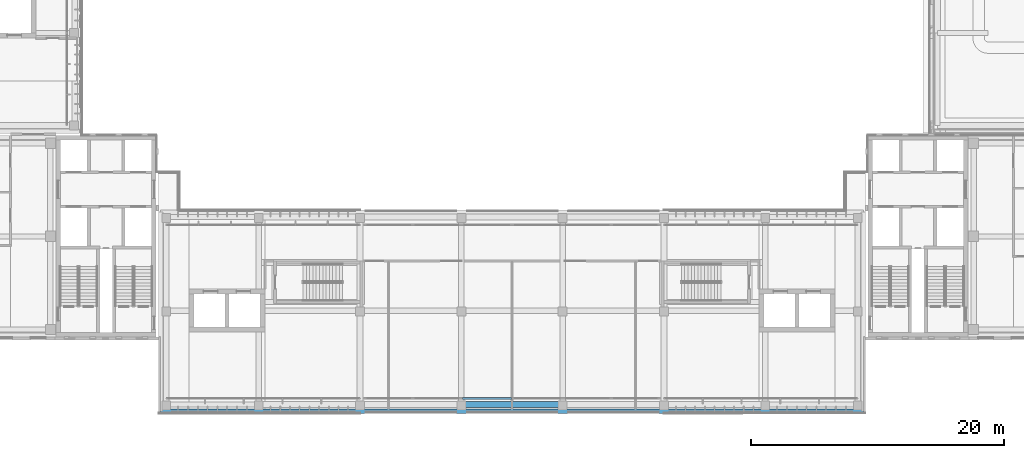
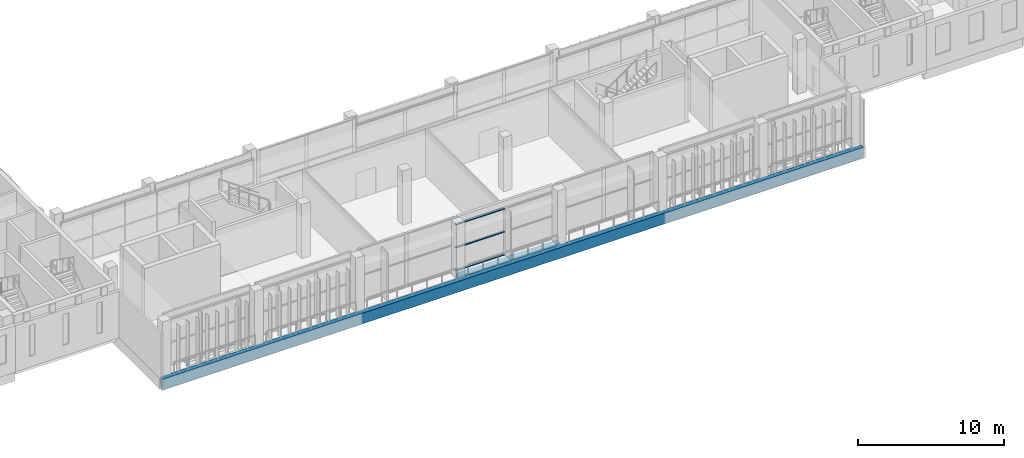
# One storey, part 7 of 46: 3 members, 2 beams, 1 element without a shape of its own.
"""IFC4 building model written with IfcOpenShell, lengths in metres."""

from ifc_helpers import new_model, si_unit, direction, frame, origin, origin_2d, place, context, subcontext, project, spatial, rectangle, extrude, material, material_profile, profile_set, type_object, element, aggregate, save


model = new_model("IFC4")

# Units and contexts
model_context = context("Model", 3, precision=1e-05, world=origin(), true_north=direction((0.0, 1.0)))
body_context = subcontext(model_context, "Body", "Model", "MODEL_VIEW")
ifc_project = project(units=[si_unit("LENGTHUNIT", "METRE"), si_unit("AREAUNIT", "SQUARE_METRE"), si_unit("VOLUMEUNIT", "CUBIC_METRE"), si_unit("PLANEANGLEUNIT", "RADIAN"), si_unit("MASSUNIT", "GRAM", prefix="KILO")], contexts=[model_context])

# Site, building, storey
site_placement = place(None, origin())
site = spatial("IfcSite", under=ifc_project, at=site_placement, CompositionType="ELEMENT")
building_placement = place(site_placement, origin())
building = spatial("IfcBuilding", under=site, at=building_placement, Name="Lantern Court Media Centre", CompositionType="ELEMENT")
storey_placement = place(building_placement, frame((0.0, 0.0, 28.800048828125)))
storey = spatial("IfcBuildingStorey", under=building, at=storey_placement, Name="L06", CompositionType="ELEMENT", Elevation=28.800048828125)

# Curtain wall, members
ifc_material_1 = material(Name="Curtain wall bay 4000")
curtain_wall_type = type_object("IfcCurtainWallType", Name="Curtain wall bay 4000", PredefinedType="NOTDEFINED", material=ifc_material_1)
curtain_wall_placement = place(storey_placement, origin())
curtain_wall = element("IfcCurtainWall", 1, at=curtain_wall_placement, inside=storey, type_object=curtain_wall_type, Name="Curtain wall S outer L06", PredefinedType="NOTDEFINED")
ifc_material_2 = material(Name="Anodised aluminium", Category="aluminium")
ifc_material_profile_1 = material_profile(ifc_material_2, rectangle(XDim=0.159912109375, YDim=0.080078125, at=origin_2d()), Name="AL 80x160")
ifc_profile_set_1 = profile_set([ifc_material_profile_1], Name="Anodised aluminium")
member_type = type_object("IfcMemberType", Name="Curtain wall transom 160x80", PredefinedType="USERDEFINED", material=ifc_profile_set_1)
member_1_placement = place(storey_placement, frame((48.080078125, 43.14990234375, 0.0400390625), z_axis=(1.0, 0.0, 0.0), x_axis=(0.0, 1.0, 0.0)))
member_1 = element("IfcMember", 2, at=member_1_placement, type_object=member_type, Name="CW3 transom 1.1", ObjectType="TRANSOM", PredefinedType="USERDEFINED", context=body_context, shape_type="SweptSolid", body=[
    extrude(rectangle(XDim=0.159912109375, YDim=0.080078125, at=origin_2d()), origin(), (0.0, 0.0, 1.0), 3.8798828125),
])
member_2_placement = place(storey_placement, frame((48.080078125, 43.14990234375, 1.974853515625), z_axis=(1.0, 0.0, 0.0), x_axis=(0.0, 1.0, 0.0)))
member_2 = element("IfcMember", 3, at=member_2_placement, type_object=member_type, Name="CW3 transom 1.2", ObjectType="TRANSOM", PredefinedType="USERDEFINED", context=body_context, shape_type="SweptSolid", body=[
    extrude(rectangle(XDim=0.159912109375, YDim=0.080078125, at=origin_2d()), origin(), (0.0, 0.0, 1.0), 3.8798828125),
])
member_3_placement = place(storey_placement, frame((48.080078125, 43.14990234375, 3.909912109375), z_axis=(1.0, 0.0, 0.0), x_axis=(0.0, 1.0, 0.0)))
member_3 = element("IfcMember", 4, at=member_3_placement, type_object=member_type, Name="CW3 transom 1.3", ObjectType="TRANSOM", PredefinedType="USERDEFINED", context=body_context, shape_type="SweptSolid", body=[
    extrude(rectangle(XDim=0.159912109375, YDim=0.080078125, at=origin_2d()), origin(), (0.0, 0.0, 1.0), 3.8798828125),
])
aggregate(curtain_wall, [member_1, member_2, member_3])

# Beams
ifc_material_3 = material(Name="Concrete C35", Category="concrete")
ifc_material_profile_2 = material_profile(ifc_material_3, rectangle(XDim=0.35009765625, YDim=0.89990234375, at=origin_2d()), Name="RC 350x900")
ifc_profile_set_2 = profile_set([ifc_material_profile_2], Name="Concrete C35")
beam_type_1 = type_object("IfcBeamType", Name="RC BEAM 350x900", PredefinedType="BEAM", material=ifc_profile_set_2)
beam_1_placement = place(storey_placement, frame((24.25, 42.14990234375, -0.449951171875), z_axis=(1.0, 0.0, 0.0), x_axis=(0.0, 1.0, 0.0)))
element("IfcBeam", 5, at=beam_1_placement, inside=storey, type_object=beam_type_1, Name="EB-S-L06-A", PredefinedType="BEAM", context=body_context, shape_type="SweptSolid", body=[
    extrude(rectangle(XDim=0.35009765625, YDim=0.89990234375, at=origin_2d()), origin(), (0.0, 0.0, 1.0), 55.5),
])
ifc_material_profile_3 = material_profile(ifc_material_3, rectangle(XDim=0.449951171875, YDim=0.699951171875, at=origin_2d()), Name="RC 450x700")
ifc_profile_set_3 = profile_set([ifc_material_profile_3], Name="Concrete C35")
beam_type_2 = type_object("IfcBeamType", Name="RC BEAM 450x700", PredefinedType="BEAM", material=ifc_profile_set_3)
beam_2_placement = place(storey_placement, frame((48.0, 42.6728515625, -0.35009765625), z_axis=(1.0, 0.0, 0.0), x_axis=(0.0, 1.0, 0.0)))
element("IfcBeam", 6, at=beam_2_placement, inside=storey, type_object=beam_type_2, Name="LB-S-L06-0-3", PredefinedType="BEAM", context=body_context, shape_type="SweptSolid", body=[
    extrude(rectangle(XDim=0.449951171875, YDim=0.699951171875, at=origin_2d()), origin(), (0.0, 0.0, 1.0), 8.0),
])

save(model, "model.ifc")
